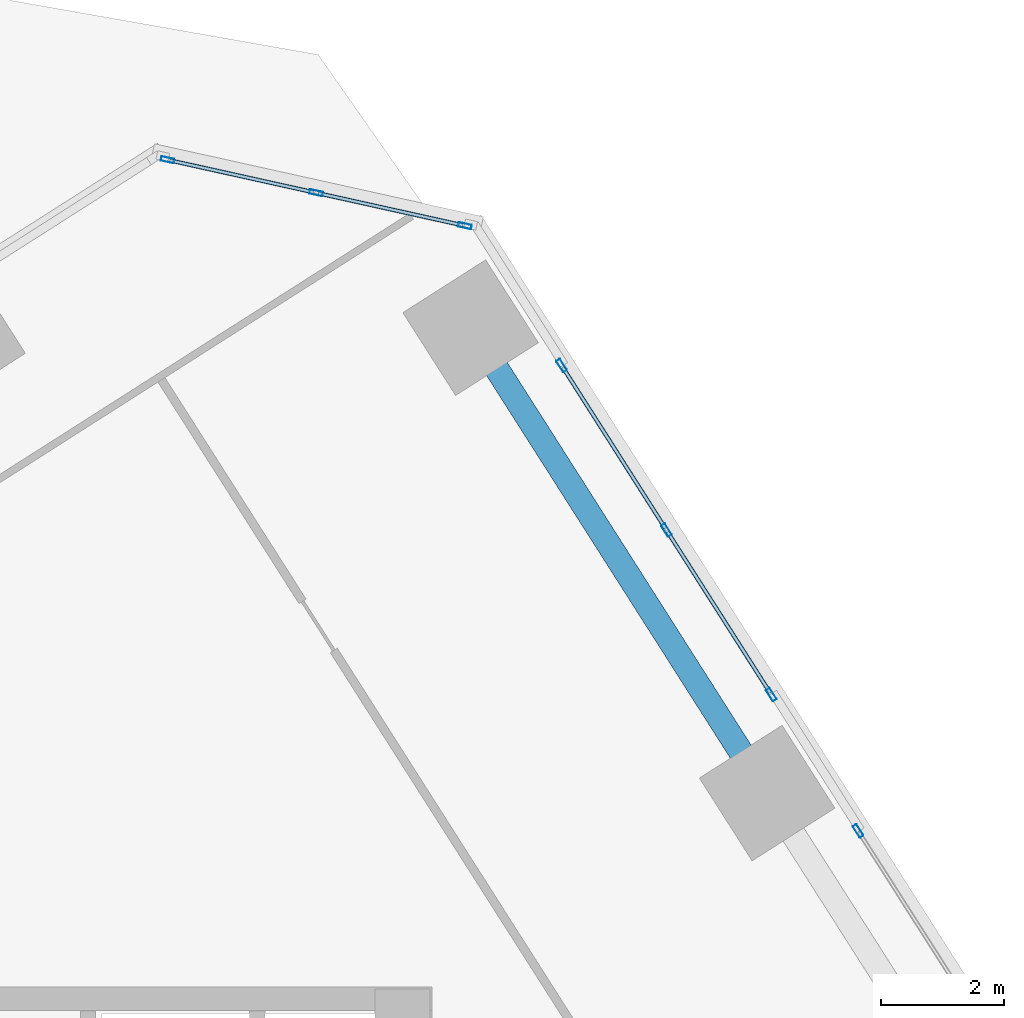
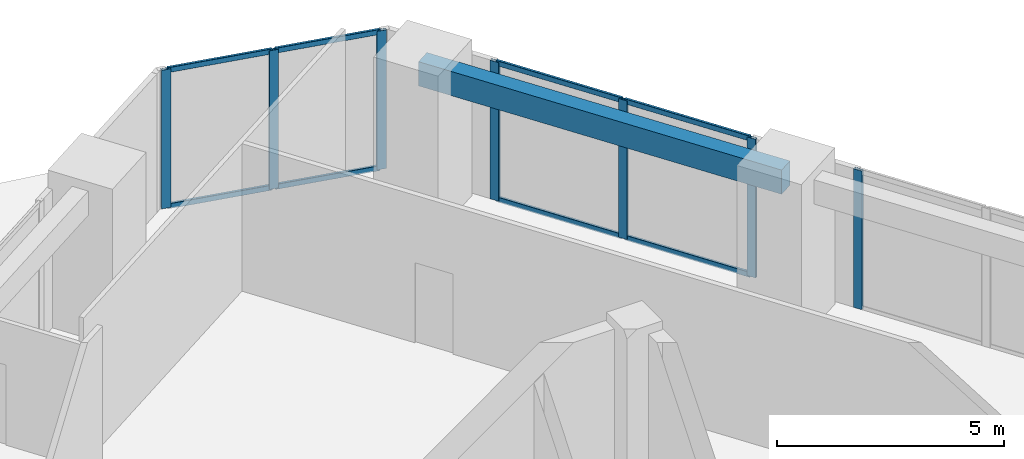
# One storey, part 9 of 15: 15 members, 1 beam, 3 elements without a shape of their own.
"""IFC4 building model written with IfcOpenShell, lengths in metres."""

from ifc_helpers import new_model, si_unit, direction, frame, origin, origin_2d, place, context, subcontext, project, spatial, rectangle, hollow_rectangle, extrude, source, transform, mapped, material, material_profile, profile_set, type_object, element, aggregate, save


model = new_model("IFC4")

# Units and contexts
model_context = context("Model", 3, precision=1e-05, world=origin(), true_north=direction((0.0, 1.0)))
body_context = subcontext(model_context, "Body", "Model", "MODEL_VIEW")
ifc_project = project(units=[si_unit("LENGTHUNIT", "METRE"), si_unit("AREAUNIT", "SQUARE_METRE"), si_unit("VOLUMEUNIT", "CUBIC_METRE"), si_unit("PLANEANGLEUNIT", "RADIAN"), si_unit("MASSUNIT", "GRAM", prefix="KILO")], contexts=[model_context])

# Site, building, storey
site_placement = place(None, origin())
site = spatial("IfcSite", under=ifc_project, at=site_placement, CompositionType="ELEMENT")
building_placement = place(site_placement, origin())
building = spatial("IfcBuilding", under=site, at=building_placement, Name="Torre Montelarca", CompositionType="ELEMENT")
storey_placement = place(building_placement, frame((0.0, 0.0, 307.199951171875)))
storey = spatial("IfcBuildingStorey", under=building, at=storey_placement, Name="L69", CompositionType="ELEMENT", Elevation=307.199951171875)

# Beam
ifc_material_1 = material(Name="Concrete C40/50", Category="concrete")
ifc_material_profile_1 = material_profile(ifc_material_1, rectangle(XDim=0.39990234375, YDim=0.64990234375, at=origin_2d()), Name="RCB400X650", Category="concrete")
ifc_profile_set_1 = profile_set([ifc_material_profile_1], Name="Concrete C40/50")
beam_type = type_object("IfcBeamType", Name="BM-SP-RC650-EXT", PredefinedType="SPANDREL", material=ifc_profile_set_1)
shared_shape_1 = source(origin(), body_context, "Body", "SweptSolid", [
    extrude(rectangle(XDim=0.39990234375, YDim=0.64990234375, at=origin_2d()), origin(), (0.0, 0.0, 1.0), 9.0),
])
beam_placement = place(storey_placement, frame((27.56103515625, 50.6826171875, 3.635009765625), z_axis=(0.5372966855, -0.843393307865, 0.0), x_axis=(0.843393307865, 0.5372966855, 0.0)))
element("IfcBeam", 1, at=beam_placement, inside=storey, type_object=beam_type, Name="L69 Grid Girder X 9.0-18.0 at Y=47.1", PredefinedType="SPANDREL", context=body_context, shape_type="MappedRepresentation", body=[
    mapped(shared_shape_1, transform((0.0, 0.0, 0.0), scale=1.0)),
])

# Curtain wall, member
ifc_material_2 = material(Name="Insulated low-E laminated glass", Category="glass")
curtain_wall_type = type_object("IfcCurtainWallType", Name="CW-SYS-Z4", PredefinedType="USERDEFINED", material=ifc_material_2)
curtain_wall_1_placement = place(storey_placement, origin())
curtain_wall_1 = element("IfcCurtainWall", 2, at=curtain_wall_1_placement, inside=storey, type_object=curtain_wall_type, Name="L69 Curtain Wall Run CW-T3-L69-E08-B2", ObjectType="UNITISED GLAZING", PredefinedType="USERDEFINED")
ifc_material_3 = material(Name="Anodised aluminium AA 6063-T6", Category="aluminium")
ifc_material_profile_2 = material_profile(ifc_material_3, hollow_rectangle(XDim=0.074951171875, YDim=0.219970703125, WallThickness=0.0048828125, InnerFilletRadius=0.0048828125, OuterFilletRadius=0.010009765625, at=origin_2d()), Name="ALU75X220X5", Category="aluminium")
ifc_profile_set_2 = profile_set([ifc_material_profile_2], Name="Anodised aluminium AA 6063-T6")
member_type_1 = type_object("IfcMemberType", Name="CWM-ALU220", PredefinedType="MULLION", material=ifc_profile_set_2)
shared_shape_2 = source(origin(), body_context, "Body", "SweptSolid", [
    extrude(hollow_rectangle(XDim=0.074951171875, YDim=0.219970703125, WallThickness=0.0048828125, InnerFilletRadius=0.0048828125, OuterFilletRadius=0.010009765625, at=origin_2d()), origin(), (0.0, 0.0, 1.0), 3.719970703125),
])
member_1_placement = place(storey_placement, frame((33.880615234375, 42.47509765625, 0.0), z_axis=(0.0, 0.0, 1.0), x_axis=(-0.843394761508, -0.537294403713, 0.0)))
member_1 = element("IfcMember", 3, at=member_1_placement, type_object=member_type_1, Name="CW mullion 3", PredefinedType="MULLION", context=body_context, shape_type="MappedRepresentation", body=[
    mapped(shared_shape_2, transform((0.0, 0.0, 0.0), scale=1.0)),
])
aggregate(curtain_wall_1, [member_1])

# Curtain wall, members
curtain_wall_2_placement = place(storey_placement, origin())
curtain_wall_2 = element("IfcCurtainWall", 4, at=curtain_wall_2_placement, inside=storey, type_object=curtain_wall_type, Name="L69 Curtain Wall Run CW-T3-L69-E08-B3", ObjectType="UNITISED GLAZING", PredefinedType="USERDEFINED")
member_2_placement = place(storey_placement, frame((32.46484375, 44.697509765625, 0.0), z_axis=(0.0, 0.0, 1.0), x_axis=(-0.843390278763, -0.537301440244, 0.0)))
member_2 = element("IfcMember", 5, at=member_2_placement, type_object=member_type_1, Name="CW mullion 1", PredefinedType="MULLION", context=body_context, shape_type="MappedRepresentation", body=[
    mapped(shared_shape_2, transform((0.0, 0.0, 0.0), scale=1.0)),
])
member_3_placement = place(storey_placement, frame((30.7548828125, 47.381591796875, 0.0), z_axis=(0.0, 0.0, 1.0), x_axis=(-0.843390278763, -0.537301440244, 0.0)))
member_3 = element("IfcMember", 6, at=member_3_placement, type_object=member_type_1, Name="CW mullion 2", PredefinedType="MULLION", context=body_context, shape_type="MappedRepresentation", body=[
    mapped(shared_shape_2, transform((0.0, 0.0, 0.0), scale=1.0)),
])
member_4_placement = place(storey_placement, frame((29.044921875, 50.065673828125, 0.0), z_axis=(0.0, 0.0, 1.0), x_axis=(-0.843390278763, -0.537301440244, 0.0)))
member_4 = element("IfcMember", 7, at=member_4_placement, type_object=member_type_1, Name="CW mullion 3", PredefinedType="MULLION", context=body_context, shape_type="MappedRepresentation", body=[
    mapped(shared_shape_2, transform((0.0, 0.0, 0.0), scale=1.0)),
])

curtain_wall_3_placement = place(storey_placement, origin())
curtain_wall_3 = element("IfcCurtainWall", 8, at=curtain_wall_3_placement, inside=storey, type_object=curtain_wall_type, Name="L69 Curtain Wall Run CW-T3-L69-E09-B1", ObjectType="UNITISED GLAZING", PredefinedType="USERDEFINED")
member_5_placement = place(storey_placement, frame((27.4677734375, 52.344482421875, 0.0), z_axis=(0.0, 0.0, 1.0), x_axis=(-0.216443270716, -0.976295196425, 0.0)))
member_5 = element("IfcMember", 9, at=member_5_placement, type_object=member_type_1, Name="CW mullion 1", PredefinedType="MULLION", context=body_context, shape_type="MappedRepresentation", body=[
    mapped(shared_shape_2, transform((0.0, 0.0, 0.0), scale=1.0)),
])
member_6_placement = place(storey_placement, frame((25.04296875, 52.882080078125, 0.0), z_axis=(0.0, 0.0, 1.0), x_axis=(-0.216443270716, -0.976295196425, 0.0)))
member_6 = element("IfcMember", 10, at=member_6_placement, type_object=member_type_1, Name="CW mullion 2", PredefinedType="MULLION", context=body_context, shape_type="MappedRepresentation", body=[
    mapped(shared_shape_2, transform((0.0, 0.0, 0.0), scale=1.0)),
])
member_7_placement = place(storey_placement, frame((22.6181640625, 53.419677734375, 0.0), z_axis=(0.0, 0.0, 1.0), x_axis=(-0.216443270716, -0.976295196425, 0.0)))
member_7 = element("IfcMember", 11, at=member_7_placement, type_object=member_type_1, Name="CW mullion 3", PredefinedType="MULLION", context=body_context, shape_type="MappedRepresentation", body=[
    mapped(shared_shape_2, transform((0.0, 0.0, 0.0), scale=1.0)),
])
ifc_material_profile_3 = material_profile(ifc_material_3, hollow_rectangle(XDim=0.06494140625, YDim=0.139892578125, WallThickness=0.00390625, InnerFilletRadius=0.00390625, OuterFilletRadius=0.008056640625, at=origin_2d()), Name="ALU65X140X4", Category="aluminium")
ifc_profile_set_3 = profile_set([ifc_material_profile_3], Name="Anodised aluminium AA 6063-T6")
member_type_2 = type_object("IfcMemberType", Name="CWT-ALU140", PredefinedType="USERDEFINED", material=ifc_profile_set_3)
shared_shape_3 = source(origin(), body_context, "Body", "SweptSolid", [
    extrude(hollow_rectangle(XDim=0.06494140625, YDim=0.139892578125, WallThickness=0.00390625, InnerFilletRadius=0.00390625, OuterFilletRadius=0.008056640625, at=origin_2d()), origin(), (0.0, 0.0, 1.0), 2.40869140625),
])
member_8_placement = place(storey_placement, frame((25.00634765625, 52.89013671875, 0.032470703125), z_axis=(-0.976303781163, 0.216404544516, 0.0), x_axis=(-0.216404544516, -0.976303781163, 0.0)))
member_8 = element("IfcMember", 12, at=member_8_placement, type_object=member_type_2, Name="CW transom 2.1", ObjectType="TRANSOM", PredefinedType="USERDEFINED", context=body_context, shape_type="MappedRepresentation", body=[
    mapped(shared_shape_3, transform((0.0, 0.0, 0.0), scale=1.0)),
])
member_9_placement = place(storey_placement, frame((25.00634765625, 52.89013671875, 3.6875), z_axis=(-0.976303781163, 0.216404544516, 0.0), x_axis=(-0.216404544516, -0.976303781163, 0.0)))
member_9 = element("IfcMember", 13, at=member_9_placement, type_object=member_type_2, Name="CW transom 2.2", ObjectType="TRANSOM", PredefinedType="USERDEFINED", context=body_context, shape_type="MappedRepresentation", body=[
    mapped(shared_shape_3, transform((0.0, 0.0, 0.0), scale=1.0)),
])

# Member
shared_shape_4 = source(origin(), body_context, "Body", "SweptSolid", [
    extrude(hollow_rectangle(XDim=0.06494140625, YDim=0.139892578125, WallThickness=0.00390625, InnerFilletRadius=0.00390625, OuterFilletRadius=0.008056640625, at=origin_2d()), origin(), (0.0, 0.0, 1.0), 3.107421875),
])
member_10_placement = place(storey_placement, frame((32.44482421875, 44.729248046875, 0.032470703125), z_axis=(-0.537338048241, 0.843366955668, 0.0), x_axis=(-0.843366955668, -0.537338048241, 0.0)))
member_10 = element("IfcMember", 14, at=member_10_placement, type_object=member_type_2, Name="CW transom 1.1", ObjectType="TRANSOM", PredefinedType="USERDEFINED", context=body_context, shape_type="MappedRepresentation", body=[
    mapped(shared_shape_4, transform((0.0, 0.0, 0.0), scale=1.0)),
])

member_11_placement = place(storey_placement, frame((32.44482421875, 44.729248046875, 3.6875), z_axis=(-0.537338048241, 0.843366955668, 0.0), x_axis=(-0.843366955668, -0.537338048241, 0.0)))
member_11 = element("IfcMember", 15, at=member_11_placement, type_object=member_type_2, Name="CW transom 1.2", ObjectType="TRANSOM", PredefinedType="USERDEFINED", context=body_context, shape_type="MappedRepresentation", body=[
    mapped(shared_shape_4, transform((0.0, 0.0, 0.0), scale=1.0)),
])

member_12_placement = place(storey_placement, frame((30.73486328125, 47.413330078125, 0.032470703125), z_axis=(-0.537338048241, 0.843366955668, 0.0), x_axis=(-0.843366955668, -0.537338048241, 0.0)))
member_12 = element("IfcMember", 16, at=member_12_placement, type_object=member_type_2, Name="CW transom 2.1", ObjectType="TRANSOM", PredefinedType="USERDEFINED", context=body_context, shape_type="MappedRepresentation", body=[
    mapped(shared_shape_4, transform((0.0, 0.0, 0.0), scale=1.0)),
])

member_13_placement = place(storey_placement, frame((30.73486328125, 47.413330078125, 3.6875), z_axis=(-0.537338048241, 0.843366955668, 0.0), x_axis=(-0.843366955668, -0.537338048241, 0.0)))
member_13 = element("IfcMember", 17, at=member_13_placement, type_object=member_type_2, Name="CW transom 2.2", ObjectType="TRANSOM", PredefinedType="USERDEFINED", context=body_context, shape_type="MappedRepresentation", body=[
    mapped(shared_shape_4, transform((0.0, 0.0, 0.0), scale=1.0)),
])

aggregate(curtain_wall_2, [member_2, member_3, member_4, member_10, member_11, member_12, member_13])

shared_shape_5 = source(origin(), body_context, "Body", "SweptSolid", [
    extrude(hollow_rectangle(XDim=0.06494140625, YDim=0.139892578125, WallThickness=0.00390625, InnerFilletRadius=0.00390625, OuterFilletRadius=0.008056640625, at=origin_2d()), origin(), (0.0, 0.0, 1.0), 2.408935546875),
])
member_14_placement = place(storey_placement, frame((27.431396484375, 52.3525390625, 0.032470703125), z_axis=(-0.976308527262, 0.216383131496, 0.0), x_axis=(-0.216383131496, -0.976308527262, 0.0)))
member_14 = element("IfcMember", 18, at=member_14_placement, type_object=member_type_2, Name="CW transom 1.1", ObjectType="TRANSOM", PredefinedType="USERDEFINED", context=body_context, shape_type="MappedRepresentation", body=[
    mapped(shared_shape_5, transform((0.0, 0.0, 0.0), scale=1.0)),
])

member_15_placement = place(storey_placement, frame((27.431396484375, 52.3525390625, 3.6875), z_axis=(-0.976308527262, 0.216383131496, 0.0), x_axis=(-0.216383131496, -0.976308527262, 0.0)))
member_15 = element("IfcMember", 19, at=member_15_placement, type_object=member_type_2, Name="CW transom 1.2", ObjectType="TRANSOM", PredefinedType="USERDEFINED", context=body_context, shape_type="MappedRepresentation", body=[
    mapped(shared_shape_5, transform((0.0, 0.0, 0.0), scale=1.0)),
])

aggregate(curtain_wall_3, [member_5, member_6, member_7, member_14, member_15, member_8, member_9])

save(model, "model.ifc")
